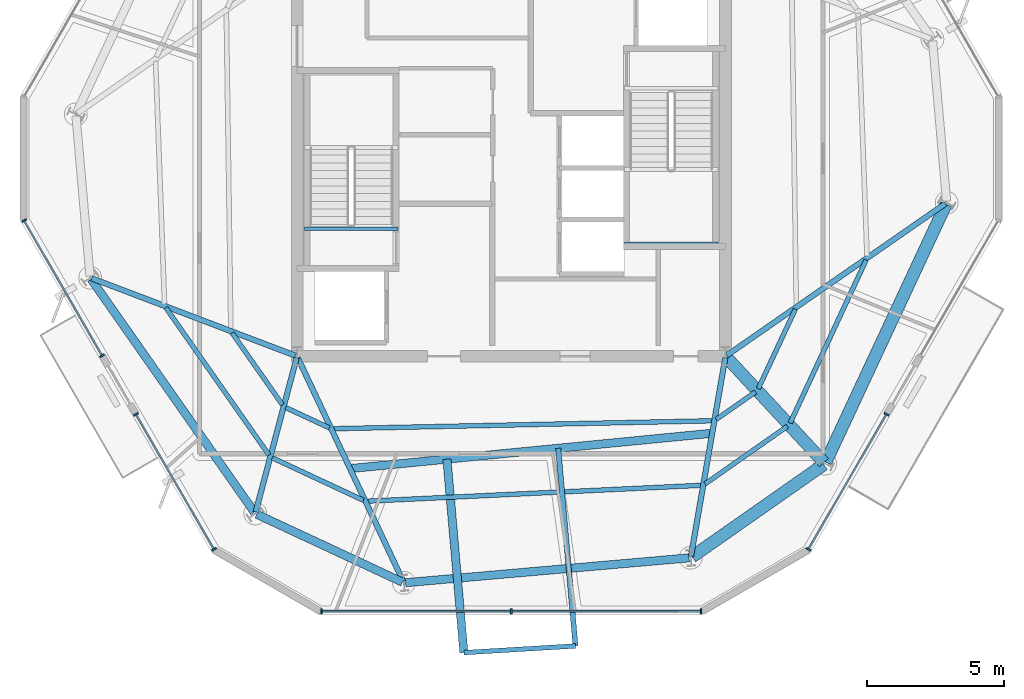
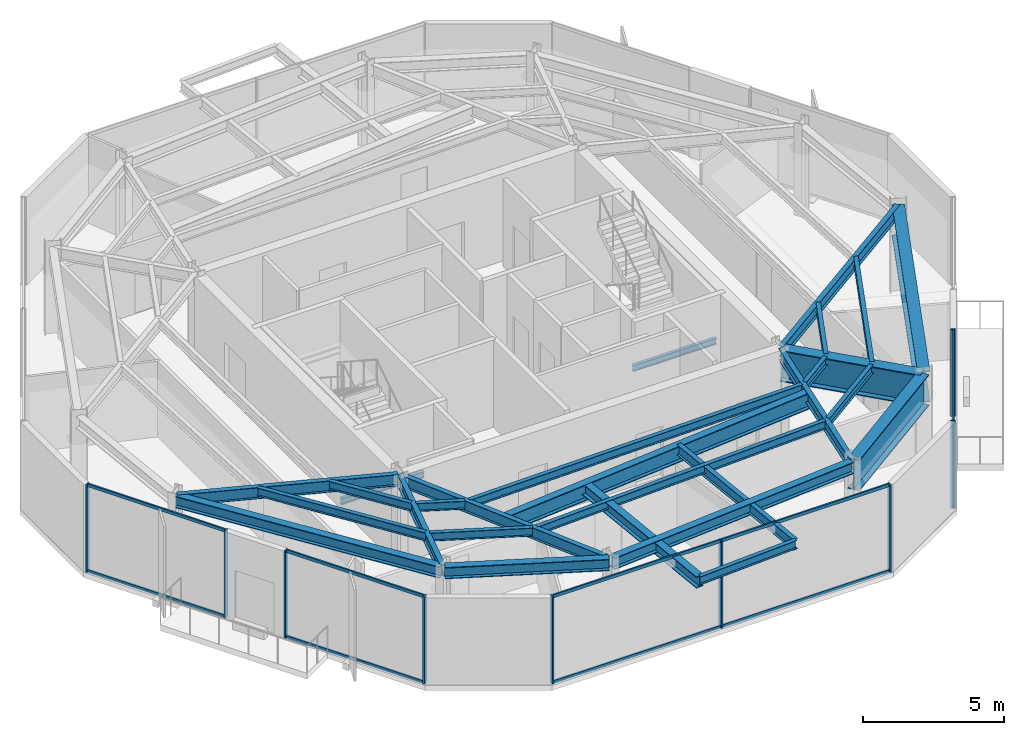
# One storey, part 2 of 11: 27 beams, 19 members, 4 elements without a shape of their own.
"""IFC4 building model written with IfcOpenShell, lengths in metres."""

from ifc_helpers import new_model, si_unit, direction, frame, origin, origin_2d, place, context, subcontext, project, spatial, rectangle, i_section, extrude, material, layer, layer_set, material_profile, profile_set, type_object, element, aggregate, save


model = new_model("IFC4")

# Units and contexts
model_context = context("Model", 3, precision=1e-05, world=origin(), true_north=direction((0.0, 1.0)))
body_context = subcontext(model_context, "Body", "Model", "MODEL_VIEW")
ifc_project = project(units=[si_unit("LENGTHUNIT", "METRE"), si_unit("AREAUNIT", "SQUARE_METRE"), si_unit("VOLUMEUNIT", "CUBIC_METRE"), si_unit("PLANEANGLEUNIT", "RADIAN"), si_unit("MASSUNIT", "GRAM", prefix="KILO")], contexts=[model_context])

# Site, building, storey
site_placement = place(None, origin())
site = spatial("IfcSite", under=ifc_project, at=site_placement, CompositionType="ELEMENT")
building_placement = place(site_placement, origin())
building = spatial("IfcBuilding", under=site, at=building_placement, Name="Kranzbogen Civic Tower", CompositionType="ELEMENT")
storey_placement = place(building_placement, frame((0.0, 0.0, 266.199951171875)))
storey = spatial("IfcBuildingStorey", under=building, at=storey_placement, Name="L64", CompositionType="ELEMENT", Elevation=266.199951171875)

# Beam
ifc_material_1 = material(Name="Steel S355", Category="steel")
ifc_material_profile_1 = material_profile(ifc_material_1, i_section(OverallWidth=0.18994140625, OverallDepth=0.449951171875, WebThickness=0.009521484375, FlangeThickness=0.0146484375, at=origin_2d()), Name="IPE 450")
ifc_profile_set_1 = profile_set([ifc_material_profile_1], Name="Steel S355")
beam_type_1 = type_object("IfcBeamType", Name="Braced Terrace Edge Beam IPE 450", PredefinedType="BEAM", material=ifc_profile_set_1)
beam_1_placement = place(storey_placement, frame((26.7080078125, 14.449951171875, 3.525146484375), z_axis=(0.087186652965, -0.996191993315, 0.0), x_axis=(0.996191993315, 0.087186652965, 0.0)))
element("IfcBeam", 1, at=beam_1_placement, inside=storey, type_object=beam_type_1, Name="L65 back-spanned terrace beam L65-TB1-2", PredefinedType="BEAM", context=body_context, shape_type="SweptSolid", body=[
    extrude(i_section(OverallWidth=0.18994140625, OverallDepth=0.449951171875, WebThickness=0.009521484375, FlangeThickness=0.0146484375, at=origin_2d()), origin(), (0.0, 0.0, 1.0), 7.224609375),
])

# Curtain wall, members
ifc_material_2 = material(Name="Pale Anodised Aluminium", Category="aluminium")
ifc_layer = layer(ifc_material_2, 0.219970703125, Name="Pale Anodised Aluminium")
ifc_layer_set = layer_set([ifc_layer], Name="Pale Anodised Aluminium")
curtain_wall_type = type_object("IfcCurtainWallType", Name="Zone 4 Stick Curtain Wall System CW-05", PredefinedType="USERDEFINED", material=ifc_layer_set)
curtain_wall_1_placement = place(storey_placement, origin())
curtain_wall_1 = element("IfcCurtainWall", 2, at=curtain_wall_1_placement, inside=storey, type_object=curtain_wall_type, Name="L64 curtain wall CW-L64-F3-S1", ObjectType="STICK CURTAIN WALL", PredefinedType="USERDEFINED")
ifc_material_profile_2 = material_profile(ifc_material_2, rectangle(XDim=0.06494140625, YDim=0.179931640625, at=origin_2d()), Name="ALU-M 65x180")
ifc_profile_set_2 = profile_set([ifc_material_profile_2], Name="Pale Anodised Aluminium")
member_type_1 = type_object("IfcMemberType", Name="Curtain Wall Mullion ALU-M 65x180", PredefinedType="MULLION", material=ifc_profile_set_2)
member_1_placement = place(storey_placement, frame((7.26611328125, 22.740966796875, 0.0), z_axis=(0.0, 0.0, 1.0), x_axis=(0.49999893013, -0.866026021473, 0.0)))
member_1 = element("IfcMember", 3, at=member_1_placement, type_object=member_type_1, Name="CW-05 mullion 1", PredefinedType="MULLION", context=body_context, shape_type="SweptSolid", body=[
    extrude(rectangle(XDim=0.06494140625, YDim=0.179931640625, at=origin_2d()), origin(), (0.0, 0.0, 1.0), 3.780029296875),
])
member_2_placement = place(storey_placement, frame((10.10595703125, 17.822021484375, 0.0), z_axis=(0.0, 0.0, 1.0), x_axis=(0.49999893013, -0.866026021473, 0.0)))
member_2 = element("IfcMember", 4, at=member_2_placement, type_object=member_type_1, Name="CW-05 mullion 2", PredefinedType="MULLION", context=body_context, shape_type="SweptSolid", body=[
    extrude(rectangle(XDim=0.06494140625, YDim=0.179931640625, at=origin_2d()), origin(), (0.0, 0.0, 1.0), 3.780029296875),
])

curtain_wall_2_placement = place(storey_placement, origin())
curtain_wall_2 = element("IfcCurtainWall", 5, at=curtain_wall_2_placement, inside=storey, type_object=curtain_wall_type, Name="L64 curtain wall CW-L64-F3-S2", ObjectType="STICK CURTAIN WALL", PredefinedType="USERDEFINED")
member_3_placement = place(storey_placement, frame((11.3359375, 15.69091796875, 0.0), z_axis=(0.0, 0.0, 1.0), x_axis=(0.500054140405, -0.865994143551, 0.0)))
member_3 = element("IfcMember", 6, at=member_3_placement, type_object=member_type_1, Name="CW-05 mullion 1", PredefinedType="MULLION", context=body_context, shape_type="SweptSolid", body=[
    extrude(rectangle(XDim=0.06494140625, YDim=0.179931640625, at=origin_2d()), origin(), (0.0, 0.0, 1.0), 3.780029296875),
])
member_4_placement = place(storey_placement, frame((14.177001953125, 10.77099609375, 0.0), z_axis=(0.0, 0.0, 1.0), x_axis=(0.500054140405, -0.865994143551, 0.0)))
member_4 = element("IfcMember", 7, at=member_4_placement, type_object=member_type_1, Name="CW-05 mullion 2", PredefinedType="MULLION", context=body_context, shape_type="SweptSolid", body=[
    extrude(rectangle(XDim=0.06494140625, YDim=0.179931640625, at=origin_2d()), origin(), (0.0, 0.0, 1.0), 3.780029296875),
])

curtain_wall_3_placement = place(storey_placement, origin())
curtain_wall_3 = element("IfcCurtainWall", 8, at=curtain_wall_3_placement, inside=storey, type_object=curtain_wall_type, Name="L64 curtain wall CW-L64-F4", ObjectType="STICK CURTAIN WALL", PredefinedType="USERDEFINED")
member_5_placement = place(storey_placement, frame((18.089111328125, 8.512939453125, 0.0), z_axis=(0.0, 0.0, 1.0), x_axis=(0.999999997405, -7.2035725e-05, 0.0)))
member_5 = element("IfcMember", 9, at=member_5_placement, type_object=member_type_1, Name="CW-05 mullion 1", PredefinedType="MULLION", context=body_context, shape_type="SweptSolid", body=[
    extrude(rectangle(XDim=0.06494140625, YDim=0.179931640625, at=origin_2d()), origin(), (0.0, 0.0, 1.0), 3.780029296875),
])
member_6_placement = place(storey_placement, frame((25.0, 8.512451171875, 0.0), z_axis=(0.0, 0.0, 1.0), x_axis=(0.999999997405, -7.2035725e-05, 0.0)))
member_6 = element("IfcMember", 10, at=member_6_placement, type_object=member_type_1, Name="CW-05 mullion 2", PredefinedType="MULLION", context=body_context, shape_type="SweptSolid", body=[
    extrude(rectangle(XDim=0.06494140625, YDim=0.179931640625, at=origin_2d()), origin(), (0.0, 0.0, 1.0), 3.780029296875),
])
member_7_placement = place(storey_placement, frame((31.910888671875, 8.511962890625, 0.0), z_axis=(0.0, 0.0, 1.0), x_axis=(0.999999997405, -7.2035725e-05, 0.0)))
member_7 = element("IfcMember", 11, at=member_7_placement, type_object=member_type_1, Name="CW-05 mullion 3", PredefinedType="MULLION", context=body_context, shape_type="SweptSolid", body=[
    extrude(rectangle(XDim=0.06494140625, YDim=0.179931640625, at=origin_2d()), origin(), (0.0, 0.0, 1.0), 3.780029296875),
])

curtain_wall_4_placement = place(storey_placement, origin())
curtain_wall_4 = element("IfcCurtainWall", 12, at=curtain_wall_4_placement, inside=storey, type_object=curtain_wall_type, Name="L64 curtain wall CW-L64-F5-S1", ObjectType="STICK CURTAIN WALL", PredefinedType="USERDEFINED")
member_8_placement = place(storey_placement, frame((35.822998046875, 10.77099609375, 0.0), z_axis=(0.0, 0.0, 1.0), x_axis=(0.500054140405, 0.865994143551, 0.0)))
member_8 = element("IfcMember", 13, at=member_8_placement, type_object=member_type_1, Name="CW-05 mullion 1", PredefinedType="MULLION", context=body_context, shape_type="SweptSolid", body=[
    extrude(rectangle(XDim=0.06494140625, YDim=0.179931640625, at=origin_2d()), origin(), (0.0, 0.0, 1.0), 3.780029296875),
])
member_9_placement = place(storey_placement, frame((38.6640625, 15.69091796875, 0.0), z_axis=(0.0, 0.0, 1.0), x_axis=(0.500054140405, 0.865994143551, 0.0)))
member_9 = element("IfcMember", 14, at=member_9_placement, type_object=member_type_1, Name="CW-05 mullion 2", PredefinedType="MULLION", context=body_context, shape_type="SweptSolid", body=[
    extrude(rectangle(XDim=0.06494140625, YDim=0.179931640625, at=origin_2d()), origin(), (0.0, 0.0, 1.0), 3.780029296875),
])

# Member
ifc_material_profile_3 = material_profile(ifc_material_2, rectangle(XDim=0.06494140625, YDim=0.135009765625, at=origin_2d()), Name="ALU-T 65x135")
ifc_profile_set_3 = profile_set([ifc_material_profile_3], Name="Pale Anodised Aluminium")
member_type_2 = type_object("IfcMemberType", Name="Curtain Wall Transom ALU-T 65x135", PredefinedType="USERDEFINED", material=ifc_profile_set_3)
member_10_placement = place(storey_placement, frame((7.281005859375, 22.715087890625, 0.030029296875), z_axis=(0.499998209175, -0.866026437715, 0.0), x_axis=(0.866026437715, 0.499998209175, 0.0)))
member_10 = element("IfcMember", 15, at=member_10_placement, type_object=member_type_2, Name="CW-05 transom 1.1", ObjectType="TRANSOM", PredefinedType="USERDEFINED", context=body_context, shape_type="SweptSolid", body=[
    extrude(rectangle(XDim=0.06494140625, YDim=0.135009765625, at=origin_2d()), origin(), (0.0, 0.0, 1.0), 5.6201171875),
])

member_11_placement = place(storey_placement, frame((7.281005859375, 22.715087890625, 3.75), z_axis=(0.499998209175, -0.866026437715, 0.0), x_axis=(0.866026437715, 0.499998209175, 0.0)))
member_11 = element("IfcMember", 16, at=member_11_placement, type_object=member_type_2, Name="CW-05 transom 1.2", ObjectType="TRANSOM", PredefinedType="USERDEFINED", context=body_context, shape_type="SweptSolid", body=[
    extrude(rectangle(XDim=0.06494140625, YDim=0.135009765625, at=origin_2d()), origin(), (0.0, 0.0, 1.0), 5.6201171875),
])

aggregate(curtain_wall_1, [member_1, member_2, member_10, member_11])

member_12_placement = place(storey_placement, frame((11.35107421875, 15.6650390625, 0.030029296875), z_axis=(0.500053275716, -0.86599464285, 0.0), x_axis=(0.86599464285, 0.500053275716, 0.0)))
member_12 = element("IfcMember", 17, at=member_12_placement, type_object=member_type_2, Name="CW-05 transom 1.1", ObjectType="TRANSOM", PredefinedType="USERDEFINED", context=body_context, shape_type="SweptSolid", body=[
    extrude(rectangle(XDim=0.06494140625, YDim=0.135009765625, at=origin_2d()), origin(), (0.0, 0.0, 1.0), 5.62158203125),
])

member_13_placement = place(storey_placement, frame((11.35107421875, 15.6650390625, 3.75), z_axis=(0.500053275716, -0.86599464285, 0.0), x_axis=(0.86599464285, 0.500053275716, 0.0)))
member_13 = element("IfcMember", 18, at=member_13_placement, type_object=member_type_2, Name="CW-05 transom 1.2", ObjectType="TRANSOM", PredefinedType="USERDEFINED", context=body_context, shape_type="SweptSolid", body=[
    extrude(rectangle(XDim=0.06494140625, YDim=0.135009765625, at=origin_2d()), origin(), (0.0, 0.0, 1.0), 5.62158203125),
])

aggregate(curtain_wall_2, [member_3, member_4, member_12, member_13])

member_14_placement = place(storey_placement, frame((18.118896484375, 8.512939453125, 0.030029296875), z_axis=(0.99999999746, -7.1270757e-05, 0.0), x_axis=(7.1270757e-05, 0.99999999746, 0.0)))
member_14 = element("IfcMember", 19, at=member_14_placement, type_object=member_type_2, Name="CW-05 transom 1.1", ObjectType="TRANSOM", PredefinedType="USERDEFINED", context=body_context, shape_type="SweptSolid", body=[
    extrude(rectangle(XDim=0.06494140625, YDim=0.135009765625, at=origin_2d()), origin(), (0.0, 0.0, 1.0), 6.85107421875),
])

member_15_placement = place(storey_placement, frame((18.118896484375, 8.512939453125, 3.75), z_axis=(0.99999999746, -7.1270757e-05, 0.0), x_axis=(7.1270757e-05, 0.99999999746, 0.0)))
member_15 = element("IfcMember", 20, at=member_15_placement, type_object=member_type_2, Name="CW-05 transom 1.2", ObjectType="TRANSOM", PredefinedType="USERDEFINED", context=body_context, shape_type="SweptSolid", body=[
    extrude(rectangle(XDim=0.06494140625, YDim=0.135009765625, at=origin_2d()), origin(), (0.0, 0.0, 1.0), 6.85107421875),
])

member_16_placement = place(storey_placement, frame((25.030029296875, 8.512451171875, 0.030029296875), z_axis=(0.99999999746, -7.1270757e-05, 0.0), x_axis=(7.1270757e-05, 0.99999999746, 0.0)))
member_16 = element("IfcMember", 21, at=member_16_placement, type_object=member_type_2, Name="CW-05 transom 2.1", ObjectType="TRANSOM", PredefinedType="USERDEFINED", context=body_context, shape_type="SweptSolid", body=[
    extrude(rectangle(XDim=0.06494140625, YDim=0.135009765625, at=origin_2d()), origin(), (0.0, 0.0, 1.0), 6.85107421875),
])

member_17_placement = place(storey_placement, frame((25.030029296875, 8.512451171875, 3.75), z_axis=(0.99999999746, -7.1270757e-05, 0.0), x_axis=(7.1270757e-05, 0.99999999746, 0.0)))
member_17 = element("IfcMember", 22, at=member_17_placement, type_object=member_type_2, Name="CW-05 transom 2.2", ObjectType="TRANSOM", PredefinedType="USERDEFINED", context=body_context, shape_type="SweptSolid", body=[
    extrude(rectangle(XDim=0.06494140625, YDim=0.135009765625, at=origin_2d()), origin(), (0.0, 0.0, 1.0), 6.85107421875),
])

aggregate(curtain_wall_3, [member_5, member_6, member_7, member_14, member_15, member_16, member_17])

member_18_placement = place(storey_placement, frame((35.837890625, 10.796875, 0.030029296875), z_axis=(0.500053275716, 0.86599464285, 0.0), x_axis=(-0.86599464285, 0.500053275716, 0.0)))
member_18 = element("IfcMember", 23, at=member_18_placement, type_object=member_type_2, Name="CW-05 transom 1.1", ObjectType="TRANSOM", PredefinedType="USERDEFINED", context=body_context, shape_type="SweptSolid", body=[
    extrude(rectangle(XDim=0.06494140625, YDim=0.135009765625, at=origin_2d()), origin(), (0.0, 0.0, 1.0), 5.62158203125),
])

member_19_placement = place(storey_placement, frame((35.837890625, 10.796875, 3.75), z_axis=(0.500053275716, 0.86599464285, 0.0), x_axis=(-0.86599464285, 0.500053275716, 0.0)))
member_19 = element("IfcMember", 24, at=member_19_placement, type_object=member_type_2, Name="CW-05 transom 1.2", ObjectType="TRANSOM", PredefinedType="USERDEFINED", context=body_context, shape_type="SweptSolid", body=[
    extrude(rectangle(XDim=0.06494140625, YDim=0.135009765625, at=origin_2d()), origin(), (0.0, 0.0, 1.0), 5.62158203125),
])

aggregate(curtain_wall_4, [member_8, member_9, member_18, member_19])

# Beams
ifc_material_profile_4 = material_profile(ifc_material_1, i_section(OverallWidth=0.300048828125, OverallDepth=0.5, WebThickness=0.014404296875, FlangeThickness=0.028076171875, at=origin_2d()), Name="HEB 500")
ifc_profile_set_4 = profile_set([ifc_material_profile_4], Name="Steel S355")
beam_type_2 = type_object("IfcBeamType", Name="Perimeter Tube Spandrel Beam HEB 500", PredefinedType="SPANDREL", material=ifc_profile_set_4)
beam_2_placement = place(storey_placement, frame((9.699951171875, 20.612060546875, 3.530029296875), z_axis=(0.573577759301, -0.819151117948, 0.0), x_axis=(0.819151117948, 0.573577759301, 0.0)))
element("IfcBeam", 25, at=beam_2_placement, inside=storey, type_object=beam_type_2, Name="L64 perimeter spandrel beam 01", PredefinedType="SPANDREL", context=body_context, shape_type="SweptSolid", body=[
    extrude(i_section(OverallWidth=0.300048828125, OverallDepth=0.5, WebThickness=0.014404296875, FlangeThickness=0.028076171875, at=origin_2d()), origin(), (0.0, 0.0, 1.0), 10.36328125),
])
beam_3_placement = place(storey_placement, frame((15.73193359375, 12.049072265625, 3.530029296875), z_axis=(0.906289661556, -0.422657129784, 0.0), x_axis=(0.422657129784, 0.906289661556, 0.0)))
element("IfcBeam", 26, at=beam_3_placement, inside=storey, type_object=beam_type_2, Name="L64 perimeter spandrel beam 02", PredefinedType="SPANDREL", context=body_context, shape_type="SweptSolid", body=[
    extrude(i_section(OverallWidth=0.300048828125, OverallDepth=0.5, WebThickness=0.014404296875, FlangeThickness=0.028076171875, at=origin_2d()), origin(), (0.0, 0.0, 1.0), 5.853759765625),
])
beam_4_placement = place(storey_placement, frame((21.15087890625, 9.554931640625, 3.530029296875), z_axis=(0.996186373839, 0.087250837114, 0.0), x_axis=(-0.087250837114, 0.996186373839, 0.0)))
element("IfcBeam", 27, at=beam_4_placement, inside=storey, type_object=beam_type_2, Name="L64 perimeter spandrel beam 03", PredefinedType="SPANDREL", context=body_context, shape_type="SweptSolid", body=[
    extrude(i_section(OverallWidth=0.300048828125, OverallDepth=0.5, WebThickness=0.014404296875, FlangeThickness=0.028076171875, at=origin_2d()), origin(), (0.0, 0.0, 1.0), 10.361572265625),
])
beam_5_placement = place(storey_placement, frame((22.656982421875, 14.053955078125, 3.5), z_axis=(0.087238896909, -0.996187419548, 0.0), x_axis=(0.996187419548, 0.087238896909, 0.0)))
element("IfcBeam", 28, at=beam_5_placement, inside=storey, type_object=beam_type_2, Name="L65 back-spanned terrace beam L65-TB1-1", PredefinedType="SPANDREL", context=body_context, shape_type="SweptSolid", body=[
    extrude(i_section(OverallWidth=0.300048828125, OverallDepth=0.5, WebThickness=0.014404296875, FlangeThickness=0.028076171875, at=origin_2d()), origin(), (0.0, 0.0, 1.0), 7.07177734375),
])
ifc_material_profile_5 = material_profile(ifc_material_1, i_section(OverallWidth=0.300048828125, OverallDepth=0.699951171875, WebThickness=0.01708984375, FlangeThickness=0.031982421875, at=origin_2d()), Name="HEB 700")
ifc_profile_set_5 = profile_set([ifc_material_profile_5], Name="Steel S355")
beam_type_3 = type_object("IfcBeamType", Name="Perimeter Tube Spandrel Beam HEB 700", PredefinedType="SPANDREL", material=ifc_profile_set_5)
beam_6_placement = place(storey_placement, frame((19.12890625, 13.7099609375, 3.400146484375), z_axis=(0.995270463506, 0.097142701589, 0.0), x_axis=(-0.097142701589, 0.995270463506, 0.0)))
element("IfcBeam", 29, at=beam_6_placement, inside=storey, type_object=beam_type_3, Name="L65 balcony back-span header girder L65-TB1", PredefinedType="SPANDREL", context=body_context, shape_type="SweptSolid", body=[
    extrude(i_section(OverallWidth=0.300048828125, OverallDepth=0.699951171875, WebThickness=0.01708984375, FlangeThickness=0.031982421875, at=origin_2d()), origin(), (0.0, 0.0, 1.0), 13.249755859375),
])
ifc_material_profile_6 = material_profile(ifc_material_1, i_section(OverallWidth=0.199951171875, OverallDepth=0.5, WebThickness=0.01025390625, FlangeThickness=0.01611328125, at=origin_2d()), Name="IPE 500")
ifc_profile_set_6 = profile_set([ifc_material_profile_6], Name="Steel S355")
beam_type_4 = type_object("IfcBeamType", Name="Radial Tower Floor Girder IPE 500", PredefinedType="BEAM", material=ifc_profile_set_6)
beam_7_placement = place(storey_placement, frame((9.721923828125, 20.639892578125, 3.530029296875), z_axis=(0.934848709689, -0.355046320913, 0.0), x_axis=(0.355046320913, 0.934848709689, 0.0)))
element("IfcBeam", 30, at=beam_7_placement, inside=storey, type_object=beam_type_4, Name="L64 radial floor girder 01", PredefinedType="BEAM", context=body_context, shape_type="SweptSolid", body=[
    extrude(i_section(OverallWidth=0.199951171875, OverallDepth=0.5, WebThickness=0.01025390625, FlangeThickness=0.01611328125, at=origin_2d()), origin(), (0.0, 0.0, 1.0), 7.939453125),
])
beam_8_placement = place(storey_placement, frame((15.693115234375, 12.132080078125, 3.530029296875), z_axis=(0.257016017622, 0.966407143333, 0.0), x_axis=(-0.966407143333, 0.257016017622, 0.0)))
element("IfcBeam", 31, at=beam_8_placement, inside=storey, type_object=beam_type_4, Name="L64 radial floor girder 02", PredefinedType="BEAM", context=body_context, shape_type="SweptSolid", body=[
    extrude(i_section(OverallWidth=0.199951171875, OverallDepth=0.5, WebThickness=0.01025390625, FlangeThickness=0.01611328125, at=origin_2d()), origin(), (0.0, 0.0, 1.0), 5.804931640625),
])
beam_9_placement = place(storey_placement, frame((21.06494140625, 9.60400390625, 3.530029296875), z_axis=(-0.426460441273, 0.904506214478, 0.0), x_axis=(-0.904506214478, -0.426460441273, 0.0)))
element("IfcBeam", 32, at=beam_9_placement, inside=storey, type_object=beam_type_4, Name="L64 radial floor girder 03", PredefinedType="BEAM", context=body_context, shape_type="SweptSolid", body=[
    extrude(i_section(OverallWidth=0.199951171875, OverallDepth=0.5, WebThickness=0.01025390625, FlangeThickness=0.01611328125, at=origin_2d()), origin(), (0.0, 0.0, 1.0), 9.001708984375),
])
beam_10_placement = place(storey_placement, frame((31.54296875, 10.52294921875, 3.530029296875), z_axis=(0.170249558486, 0.985400978199, 0.0), x_axis=(-0.985400978199, 0.170249558486, 0.0)))
element("IfcBeam", 33, at=beam_10_placement, inside=storey, type_object=beam_type_4, Name="L64 radial floor girder 04", PredefinedType="BEAM", context=body_context, shape_type="SweptSolid", body=[
    extrude(i_section(OverallWidth=0.199951171875, OverallDepth=0.5, WebThickness=0.01025390625, FlangeThickness=0.01611328125, at=origin_2d()), origin(), (0.0, 0.0, 1.0), 7.324951171875),
])
beam_11_placement = place(storey_placement, frame((40.805908203125, 23.35595703125, 3.530029296875), z_axis=(-0.821542812331, -0.570146829779, 0.0), x_axis=(0.570146829779, -0.821542812331, 0.0)))
element("IfcBeam", 34, at=beam_11_placement, inside=storey, type_object=beam_type_4, Name="L64 radial floor girder 06", PredefinedType="BEAM", context=body_context, shape_type="SweptSolid", body=[
    extrude(i_section(OverallWidth=0.199951171875, OverallDepth=0.5, WebThickness=0.01025390625, FlangeThickness=0.01611328125, at=origin_2d()), origin(), (0.0, 0.0, 1.0), 9.68505859375),
])
ifc_material_profile_7 = material_profile(ifc_material_1, i_section(OverallWidth=0.169921875, OverallDepth=0.360107421875, WebThickness=0.008056640625, FlangeThickness=0.0126953125, at=origin_2d()), Name="IPE 360")
ifc_profile_set_7 = profile_set([ifc_material_profile_7], Name="Steel S355")
beam_type_5 = type_object("IfcBeamType", Name="Secondary Composite Floor Joist IPE 360", PredefinedType="JOIST", material=ifc_profile_set_7)
beam_12_placement = place(storey_placement, frame((12.424072265625, 19.56591796875, 3.60009765625), z_axis=(0.573499872939, -0.819205649235, 0.0), x_axis=(0.819205649235, 0.573499872939, 0.0)))
element("IfcBeam", 35, at=beam_12_placement, inside=storey, type_object=beam_type_5, Name="L64 secondary floor joist 1.01", PredefinedType="JOIST", context=body_context, shape_type="SweptSolid", body=[
    extrude(i_section(OverallWidth=0.169921875, OverallDepth=0.360107421875, WebThickness=0.008056640625, FlangeThickness=0.0126953125, at=origin_2d()), origin(), (0.0, 0.0, 1.0), 6.549072265625),
])
beam_13_placement = place(storey_placement, frame((14.8349609375, 18.64990234375, 3.60009765625), z_axis=(0.573498248491, -0.819206786457, 0.0), x_axis=(0.819206786457, 0.573498248491, 0.0)))
element("IfcBeam", 36, at=beam_13_placement, inside=storey, type_object=beam_type_5, Name="L64 secondary floor joist 2.01", PredefinedType="JOIST", context=body_context, shape_type="SweptSolid", body=[
    extrude(i_section(OverallWidth=0.169921875, OverallDepth=0.360107421875, WebThickness=0.008056640625, FlangeThickness=0.0126953125, at=origin_2d()), origin(), (0.0, 0.0, 1.0), 3.194580078125),
])
beam_14_placement = place(storey_placement, frame((16.298095703125, 14.10205078125, 3.60009765625), z_axis=(0.906303996948, -0.422626389517, 0.0), x_axis=(0.422626389517, 0.906303996948, 0.0)))
element("IfcBeam", 37, at=beam_14_placement, inside=storey, type_object=beam_type_5, Name="L64 secondary floor joist 1.02", PredefinedType="JOIST", context=body_context, shape_type="SweptSolid", body=[
    extrude(i_section(OverallWidth=0.169921875, OverallDepth=0.360107421875, WebThickness=0.008056640625, FlangeThickness=0.0126953125, at=origin_2d()), origin(), (0.0, 0.0, 1.0), 3.6630859375),
])
beam_15_placement = place(storey_placement, frame((16.784912109375, 15.93408203125, 3.60009765625), z_axis=(0.906432174342, -0.422351409751, 0.0), x_axis=(0.422351409751, 0.906432174342, 0.0)))
element("IfcBeam", 38, at=beam_15_placement, inside=storey, type_object=beam_type_5, Name="L64 secondary floor joist 2.02", PredefinedType="JOIST", context=body_context, shape_type="SweptSolid", body=[
    extrude(i_section(OverallWidth=0.169921875, OverallDepth=0.360107421875, WebThickness=0.008056640625, FlangeThickness=0.0126953125, at=origin_2d()), origin(), (0.0, 0.0, 1.0), 1.751953125),
])
beam_16_placement = place(storey_placement, frame((19.77001953125, 12.52392578125, 3.60009765625), z_axis=(0.998871634781, 0.047491654324, 0.0), x_axis=(-0.047491654324, 0.998871634781, 0.0)))
element("IfcBeam", 39, at=beam_16_placement, inside=storey, type_object=beam_type_5, Name="L64 secondary floor joist 1.03", PredefinedType="JOIST", context=body_context, shape_type="SweptSolid", body=[
    extrude(i_section(OverallWidth=0.169921875, OverallDepth=0.360107421875, WebThickness=0.008056640625, FlangeThickness=0.0126953125, at=origin_2d()), origin(), (0.0, 0.0, 1.0), 12.152587890625),
])
beam_17_placement = place(storey_placement, frame((18.52490234375, 15.162109375, 3.60009765625), z_axis=(0.999780746893, 0.020939392104, 0.0), x_axis=(-0.020939392104, 0.999780746893, 0.0)))
element("IfcBeam", 40, at=beam_17_placement, inside=storey, type_object=beam_type_5, Name="L64 secondary floor joist 2.03", PredefinedType="JOIST", context=body_context, shape_type="SweptSolid", body=[
    extrude(i_section(OverallWidth=0.169921875, OverallDepth=0.360107421875, WebThickness=0.008056640625, FlangeThickness=0.0126953125, at=origin_2d()), origin(), (0.0, 0.0, 1.0), 13.79296875),
])
beam_18_placement = place(storey_placement, frame((32.054931640625, 13.15087890625, 3.60009765625), z_axis=(0.819006333711, 0.573784476385, 0.0), x_axis=(-0.573784476385, 0.819006333711, 0.0)))
element("IfcBeam", 41, at=beam_18_placement, inside=storey, type_object=beam_type_5, Name="L64 secondary floor joist 1.04", PredefinedType="JOIST", context=body_context, shape_type="SweptSolid", body=[
    extrude(i_section(OverallWidth=0.169921875, OverallDepth=0.360107421875, WebThickness=0.008056640625, FlangeThickness=0.0126953125, at=origin_2d()), origin(), (0.0, 0.0, 1.0), 3.661865234375),
])
beam_19_placement = place(storey_placement, frame((32.4599609375, 15.498046875, 3.60009765625), z_axis=(0.818956727849, 0.573855276103, 0.0), x_axis=(-0.573855276103, 0.818956727849, 0.0)))
element("IfcBeam", 42, at=beam_19_placement, inside=storey, type_object=beam_type_5, Name="L64 secondary floor joist 2.04", PredefinedType="JOIST", context=body_context, shape_type="SweptSolid", body=[
    extrude(i_section(OverallWidth=0.169921875, OverallDepth=0.360107421875, WebThickness=0.008056640625, FlangeThickness=0.0126953125, at=origin_2d()), origin(), (0.0, 0.0, 1.0), 1.751220703125),
])
beam_20_placement = place(storey_placement, frame((35.154052734375, 15.3701171875, 3.60009765625), z_axis=(0.422542528713, 0.906343098075, 0.0), x_axis=(-0.906343098075, 0.422542528713, 0.0)))
element("IfcBeam", 43, at=beam_20_placement, inside=storey, type_object=beam_type_5, Name="L64 secondary floor joist 1.05", PredefinedType="JOIST", context=body_context, shape_type="SweptSolid", body=[
    extrude(i_section(OverallWidth=0.169921875, OverallDepth=0.360107421875, WebThickness=0.008056640625, FlangeThickness=0.0126953125, at=origin_2d()), origin(), (0.0, 0.0, 1.0), 6.548095703125),
])
beam_21_placement = place(storey_placement, frame((33.993896484375, 16.62109375, 3.60009765625), z_axis=(0.422651143991, 0.906292453065, 0.0), x_axis=(-0.906292453065, 0.422651143991, 0.0)))
element("IfcBeam", 44, at=beam_21_placement, inside=storey, type_object=beam_type_5, Name="L64 secondary floor joist 2.05", PredefinedType="JOIST", context=body_context, shape_type="SweptSolid", body=[
    extrude(i_section(OverallWidth=0.169921875, OverallDepth=0.360107421875, WebThickness=0.008056640625, FlangeThickness=0.0126953125, at=origin_2d()), origin(), (0.0, 0.0, 1.0), 3.1943359375),
])
beam_22_placement = place(storey_placement, frame((23.27392578125, 7.009033203125, 3.570068359375), z_axis=(0.998203984941, 0.05990663108, 0.0), x_axis=(-0.05990663108, 0.998203984941, 0.0)))
element("IfcBeam", 45, at=beam_22_placement, inside=storey, type_object=beam_type_5, Name="L65 terrace outer edge trimmer L65-TB1", PredefinedType="JOIST", context=body_context, shape_type="SweptSolid", body=[
    extrude(i_section(OverallWidth=0.169921875, OverallDepth=0.360107421875, WebThickness=0.008056640625, FlangeThickness=0.0126953125, at=origin_2d()), origin(), (0.0, 0.0, 1.0), 4.0712890625),
])
ifc_material_profile_8 = material_profile(ifc_material_1, i_section(OverallWidth=0.135009765625, OverallDepth=0.27001953125, WebThickness=0.006591796875, FlangeThickness=0.01025390625, at=origin_2d()), Name="IPE 270")
ifc_profile_set_8 = profile_set([ifc_material_profile_8], Name="Steel S355")
beam_type_6 = type_object("IfcBeamType", Name="Stair Landing Support Beam IPE 270", PredefinedType="JOIST", material=ifc_profile_set_8)
for number, where, z_axis, x_axis, name in (
    (46, (20.8798828125, 22.43994140625, -0.35498046875), (-1.0, 0.0, 0.0), (0.0, -1.0, 0.0), "L64 ST-T1 stair floor header beam"),
    (47, (29.1201171875, 21.89990234375, 1.6650390625), (1.0, 0.0, 0.0), (0.0, 1.0, 0.0), "L64 ST-T2 landing support beam 1.2"),
):
    element("IfcBeam", number, at=place(storey_placement, frame(where, z_axis=z_axis, x_axis=x_axis)), inside=storey, type_object=beam_type_6, Name=name, PredefinedType="JOIST", context=body_context, shape_type="SweptSolid", body=[
        extrude(i_section(OverallWidth=0.135009765625, OverallDepth=0.27001953125, WebThickness=0.006591796875, FlangeThickness=0.01025390625, at=origin_2d()), origin(), (0.0, 0.0, 1.0), 3.409912109375),
    ])
ifc_material_3 = material(Name="Steel S460", Category="steel")
ifc_material_profile_9 = material_profile(ifc_material_3, i_section(OverallWidth=0.449951171875, OverallDepth=1.35009765625, WebThickness=0.02392578125, FlangeThickness=0.0380859375, at=origin_2d()), Name="WPG 1350x450x24x38")
ifc_profile_set_9 = profile_set([ifc_material_profile_9], Name="Steel S460")
beam_type_7 = type_object("IfcBeamType", Name="Welded Transfer Girder WPG 1350x450x24x38", PredefinedType="BEAM", material=ifc_profile_set_9)
beam_23_placement = place(storey_placement, frame((31.58203125, 10.498046875, 3.10498046875), z_axis=(0.819059436004, 0.57370867197, 0.0), x_axis=(-0.57370867197, 0.819059436004, 0.0)))
element("IfcBeam", 48, at=beam_23_placement, inside=storey, type_object=beam_type_7, Name="TG-1350: L64 welded transfer girder 04", PredefinedType="BEAM", context=body_context, shape_type="SweptSolid", body=[
    extrude(i_section(OverallWidth=0.449951171875, OverallDepth=1.35009765625, WebThickness=0.02392578125, FlangeThickness=0.0380859375, at=origin_2d()), origin(), (0.0, 0.0, 1.0), 5.85302734375),
])
beam_24_placement = place(storey_placement, frame((36.449951171875, 13.944091796875, 3.10498046875), z_axis=(0.422668780888, 0.906284227857, 0.0), x_axis=(-0.906284227857, 0.422668780888, 0.0)))
element("IfcBeam", 49, at=beam_24_placement, inside=storey, type_object=beam_type_7, Name="TG-1350: L64 welded transfer girder 05", PredefinedType="BEAM", context=body_context, shape_type="SweptSolid", body=[
    extrude(i_section(OverallWidth=0.449951171875, OverallDepth=1.35009765625, WebThickness=0.02392578125, FlangeThickness=0.0380859375, at=origin_2d()), origin(), (0.0, 0.0, 1.0), 10.363037109375),
])
beam_25_placement = place(storey_placement, frame((36.384033203125, 13.93408203125, 3.10498046875), z_axis=(-0.679827353702, 0.733372190064, 0.0), x_axis=(-0.733372190064, -0.679827353702, 0.0)))
element("IfcBeam", 50, at=beam_25_placement, inside=storey, type_object=beam_type_7, Name="TG-1350: L64 radial welded transfer girder 05", PredefinedType="BEAM", context=body_context, shape_type="SweptSolid", body=[
    extrude(i_section(OverallWidth=0.449951171875, OverallDepth=1.35009765625, WebThickness=0.02392578125, FlangeThickness=0.0380859375, at=origin_2d()), origin(), (0.0, 0.0, 1.0), 5.211669921875),
])

save(model, "model.ifc")
